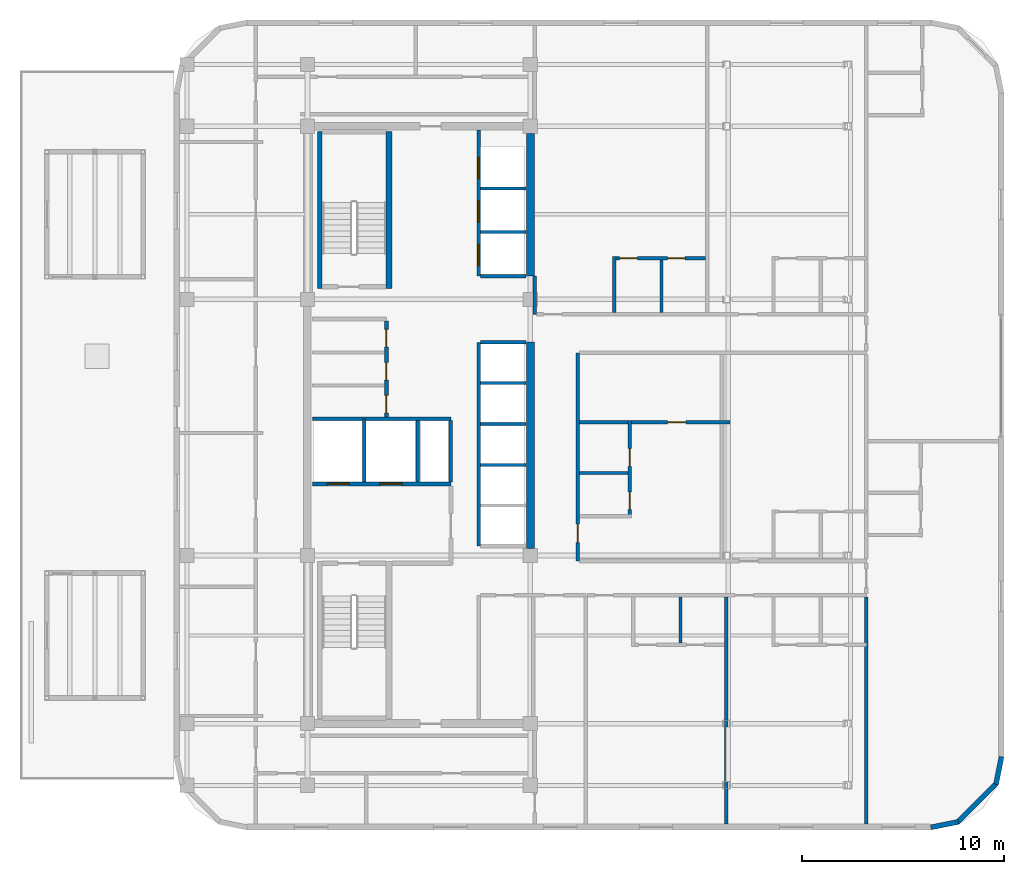
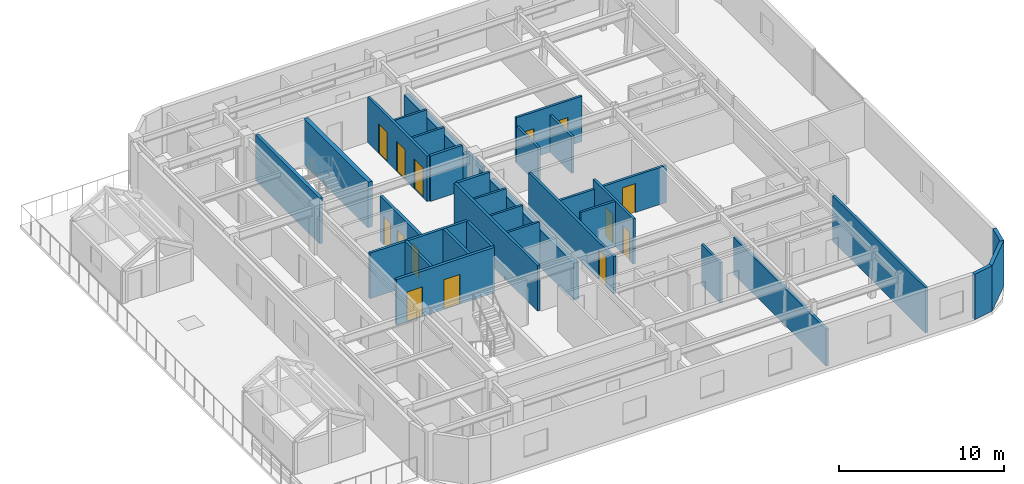
# One storey, part 13 of 16: 33 walls, 14 doors, 14 openings.
"""IFC4 building model written with IfcOpenShell, lengths in metres."""

from ifc_helpers import new_model, si_unit, direction, frame, frame_2d, origin, place, context, subcontext, project, spatial, rectangle, extrude, material, layer, layer_set, type_object, element, fill, save


model = new_model("IFC4")

# Units and contexts
model_context = context("Model", 3, precision=1e-05, world=origin(), true_north=direction((0.0, 1.0)))
body_context = subcontext(model_context, "Body", "Model", "MODEL_VIEW")
ifc_project = project(units=[si_unit("LENGTHUNIT", "METRE"), si_unit("AREAUNIT", "SQUARE_METRE"), si_unit("VOLUMEUNIT", "CUBIC_METRE"), si_unit("PLANEANGLEUNIT", "RADIAN"), si_unit("MASSUNIT", "GRAM", prefix="KILO")], contexts=[model_context])

# Site, building, storey
site_placement = place(None, origin())
site = spatial("IfcSite", under=ifc_project, at=site_placement, CompositionType="ELEMENT")
building_placement = place(site_placement, origin())
building = spatial("IfcBuilding", under=site, at=building_placement, Name="Ochreholt Gables", CompositionType="ELEMENT")
storey_placement = place(building_placement, frame((0.0, 0.0, 141.0)))
storey = spatial("IfcBuildingStorey", under=building, at=storey_placement, Name="L36", CompositionType="ELEMENT", Elevation=141.0)

# Walls
ifc_material_1 = material(Name="Concrete 50 MPa", Category="concrete")
ifc_layer_1 = layer(ifc_material_1, 0.3798828125, Name="Concrete 50 MPa")
ifc_layer_set_1 = layer_set([ifc_layer_1], Name="Concrete 50 MPa")
wall_type_1 = type_object("IfcWallType", Name="WALL-CSW-380", PredefinedType="SHEAR", material=ifc_layer_set_1)
wall_1_placement = place(storey_placement, frame((35.2099609375, 17.89990234375, 0.0), z_axis=(0.0, 0.0, 1.0), x_axis=(0.0, 1.0, 0.0)))
element("IfcWall", 1, at=wall_1_placement, inside=storey, type_object=wall_type_1, Name="L36 Core Central-East Shear Wall", PredefinedType="SHEAR", context=body_context, shape_type="SweptSolid", body=[
    extrude(rectangle(XDim=10.2001953125, YDim=0.3798828125, at=frame_2d((5.10009765625, 0.0))), origin(), (0.0, 0.0, 1.0), 2.748046875),
])
wall_2_placement = place(storey_placement, frame((35.2099609375, 31.35009765625, 0.0), z_axis=(0.0, 0.0, 1.0), x_axis=(0.0, 1.0, 0.0)))
element("IfcWall", 2, at=wall_2_placement, inside=storey, type_object=wall_type_1, Name="L36 Core North-East Shear Wall", PredefinedType="SHEAR", context=body_context, shape_type="SweptSolid", body=[
    extrude(rectangle(XDim=7.0498046875, YDim=0.3798828125, at=frame_2d((3.52490234375, 0.0))), origin(), (0.0, 0.0, 1.0), 2.748046875),
])
ifc_material_2 = material(Name="Precast concrete 40 MPa", Category="concrete")
ifc_layer_2 = layer(ifc_material_2, 0.25, Name="Precast concrete 40 MPa")
ifc_layer_set_2 = layer_set([ifc_layer_2], Name="Precast concrete 40 MPa")
wall_type_2 = type_object("IfcWallType", Name="WALL-EXT-CNR", PredefinedType="SOLIDWALL", material=ifc_layer_set_2)
wall_3_placement = place(storey_placement, frame((54.9833984375, 4.124267578125, 0.0), z_axis=(0.0, 0.0, 1.0), x_axis=(0.980809899341, 0.19496651342, 0.0)))
element("IfcWall", 3, at=wall_3_placement, inside=storey, type_object=wall_type_2, Name="L36 Rounded Corner Wall SE-1", PredefinedType="SOLIDWALL", context=body_context, shape_type="SweptSolid", body=[
    extrude(rectangle(XDim=1.388671875, YDim=0.25, at=frame_2d((0.6943359375, 0.0))), origin(), (0.0, 0.0, 1.0), 3.360107421875),
])
wall_4_placement = place(storey_placement, frame((56.294921875, 4.367919921875, 0.0), z_axis=(0.0, 0.0, 1.0), x_axis=(0.707106781187, 0.707106781187, 0.0)))
element("IfcWall", 4, at=wall_4_placement, inside=storey, type_object=wall_type_2, Name="L36 Rounded Corner Wall SE-2", PredefinedType="SOLIDWALL", context=body_context, shape_type="SweptSolid", body=[
    extrude(rectangle(XDim=2.7392578125, YDim=0.25, at=frame_2d((1.36962890625, 0.0))), origin(), (0.0, 0.0, 1.0), 3.360107421875),
])
wall_5_placement = place(storey_placement, frame((58.205078125, 6.25439453125, 0.0), z_axis=(0.0, 0.0, 1.0), x_axis=(0.19496651342, 0.980809899341, 0.0)))
element("IfcWall", 5, at=wall_5_placement, inside=storey, type_object=wall_type_2, Name="L36 Rounded Corner Wall SE-3", PredefinedType="SOLIDWALL", context=body_context, shape_type="SweptSolid", body=[
    extrude(rectangle(XDim=1.388671875, YDim=0.25, at=frame_2d((0.6943359375, 0.0))), origin(), (0.0, 0.0, 1.0), 3.360107421875),
])

# Wall, openings, doors
ifc_material_3 = material(Name="Concrete 40 MPa", Category="concrete")
ifc_layer_3 = layer(ifc_material_3, 0.199951171875, Name="Concrete 40 MPa")
ifc_layer_set_3 = layer_set([ifc_layer_3], Name="Concrete 40 MPa")
wall_type_3 = type_object("IfcWallType", Name="WALL-INT-CF200", PredefinedType="STANDARD", material=ifc_layer_set_3)
wall_6_placement = place(storey_placement, frame((24.449951171875, 21.090087890625, 0.0), z_axis=(0.0, 0.0, 1.0), x_axis=(1.0, 0.0, 0.0)))
wall_6 = element("IfcWall", 6, at=wall_6_placement, inside=storey, type_object=wall_type_3, Name="L36 Interior Wall WI-FFN-L36", PredefinedType="STANDARD", context=body_context, shape_type="SweptSolid", body=[
    extrude(rectangle(XDim=6.830078125, YDim=0.199951171875, at=frame_2d((3.4150390625, 0.0))), origin(), (0.0, 0.0, 1.0), 3.360107421875),
])
opening_1_placement = place(wall_6_placement, frame((0.719970703125, 0.0, 0.0)))
opening_1 = element("IfcOpeningElement", 7, at=opening_1_placement, cuts=wall_6, Name="Opening LD-FF", PredefinedType="OPENING", context=body_context, shape_type="SweptSolid", body=[
    extrude(rectangle(XDim=1.10009765625, YDim=2.199951171875, at=frame_2d((0.550048828125, 1.10009765625))), frame((0.0, 0.10986328125, 0.0), z_axis=(0.0, -1.0, 0.0), x_axis=(1.0, 0.0, 0.0)), (0.0, 0.0, 1.0), 0.219970703125),
])
opening_2_placement = place(wall_6_placement, frame((3.320068359375, 0.0, 0.0)))
opening_2 = element("IfcOpeningElement", 8, at=opening_2_placement, cuts=wall_6, Name="Opening LD-FF", PredefinedType="OPENING", context=body_context, shape_type="SweptSolid", body=[
    extrude(rectangle(XDim=1.10009765625, YDim=2.199951171875, at=frame_2d((0.550048828125, 1.10009765625))), frame((0.0, 0.10986328125, 0.0), z_axis=(0.0, -1.0, 0.0), x_axis=(1.0, 0.0, 0.0)), (0.0, 0.0, 1.0), 0.219970703125),
])
ifc_material_4 = material(Name="Stainless Steel", Category="steel")
door_type_1 = type_object("IfcDoorType", Name="DR-LFT-FF1100", OperationType="NOTDEFINED", PredefinedType="DOOR", material=ifc_material_4)
door_1_placement = place(opening_1_placement, origin())
door_1 = element("IfcDoor", 9, at=door_1_placement, inside=storey, type_object=door_type_1, Name="L36 Door LD-FF1-L36", OperationType="SLIDING_TO_LEFT", OverallHeight=2.199951171875, OverallWidth=1.10009765625, PredefinedType="DOOR", context=body_context, shape_type="SweptSolid", body=[
    extrude(rectangle(XDim=1.10009765625, YDim=2.199951171875, at=frame_2d((0.550048828125, 1.10009765625))), frame((0.0, 0.02490234375, 0.0), z_axis=(0.0, -1.0, 0.0), x_axis=(1.0, 0.0, 0.0)), (0.0, 0.0, 1.0), 0.050048828125),
])
fill(opening_1, door_1)
door_2_placement = place(opening_2_placement, origin())
door_2 = element("IfcDoor", 10, at=door_2_placement, inside=storey, type_object=door_type_1, Name="L36 Door LD-FF2-L36", OperationType="SLIDING_TO_LEFT", OverallHeight=2.199951171875, OverallWidth=1.10009765625, PredefinedType="DOOR", context=body_context, shape_type="SweptSolid", body=[
    extrude(rectangle(XDim=1.10009765625, YDim=2.199951171875, at=frame_2d((0.550048828125, 1.10009765625))), frame((0.0, 0.02490234375, 0.0), z_axis=(0.0, -1.0, 0.0), x_axis=(1.0, 0.0, 0.0)), (0.0, 0.0, 1.0), 0.050048828125),
])
fill(opening_2, door_2)

wall_7_placement = place(storey_placement, frame((28.10009765625, 24.389892578125, 0.0), z_axis=(0.0, 0.0, 1.0), x_axis=(0.0, 1.0, 0.0)))
wall_7 = element("IfcWall", 11, at=wall_7_placement, inside=storey, type_object=wall_type_3, Name="L36 Interior Wall WI-SRVE-L36", PredefinedType="STANDARD", context=body_context, shape_type="SweptSolid", body=[
    extrude(rectangle(XDim=4.75, YDim=0.199951171875, at=frame_2d((2.375, 0.0))), origin(), (0.0, 0.0, 1.0), 3.360107421875),
])
opening_3_placement = place(wall_7_placement, frame((0.2099609375, 0.0, 0.0)))
opening_3 = element("IfcOpeningElement", 12, at=opening_3_placement, cuts=wall_7, Name="Opening D-SV2", PredefinedType="OPENING", context=body_context, shape_type="SweptSolid", body=[
    extrude(rectangle(XDim=0.860107421875, YDim=2.10009765625, at=frame_2d((0.43017578125, 1.050048828125))), frame((0.0, 0.10986328125, 0.0), z_axis=(0.0, -1.0, 0.0), x_axis=(1.0, 0.0, 0.0)), (0.0, 0.0, 1.0), 0.219970703125),
])
opening_4_placement = place(wall_7_placement, frame((1.830078125, 0.0, 0.0)))
opening_4 = element("IfcOpeningElement", 13, at=opening_4_placement, cuts=wall_7, Name="Opening D-SV2", PredefinedType="OPENING", context=body_context, shape_type="SweptSolid", body=[
    extrude(rectangle(XDim=0.860107421875, YDim=2.10009765625, at=frame_2d((0.43017578125, 1.050048828125))), frame((0.0, 0.10986328125, 0.0), z_axis=(0.0, -1.0, 0.0), x_axis=(1.0, 0.0, 0.0)), (0.0, 0.0, 1.0), 0.219970703125),
])
opening_5_placement = place(wall_7_placement, frame((3.469970703125, 0.0, 0.0)))
opening_5 = element("IfcOpeningElement", 14, at=opening_5_placement, cuts=wall_7, Name="Opening D-SV2", PredefinedType="OPENING", context=body_context, shape_type="SweptSolid", body=[
    extrude(rectangle(XDim=0.860107421875, YDim=2.10009765625, at=frame_2d((0.43017578125, 1.050048828125))), frame((0.0, 0.10986328125, 0.0), z_axis=(0.0, -1.0, 0.0), x_axis=(1.0, 0.0, 0.0)), (0.0, 0.0, 1.0), 0.219970703125),
])
ifc_material_5 = material(Name="Hollow Metal Steel", Category="steel")
door_type_2 = type_object("IfcDoorType", Name="DR-INT-SRV860", OperationType="NOTDEFINED", PredefinedType="DOOR", material=ifc_material_5)
door_3_placement = place(opening_3_placement, origin())
door_3 = element("IfcDoor", 15, at=door_3_placement, inside=storey, type_object=door_type_2, Name="L36 Door D-SRV1-L36", OperationType="SINGLE_SWING_LEFT", OverallHeight=2.10009765625, OverallWidth=0.860107421875, PredefinedType="DOOR", context=body_context, shape_type="SweptSolid", body=[
    extrude(rectangle(XDim=0.860107421875, YDim=2.10009765625, at=frame_2d((0.43017578125, 1.050048828125))), frame((0.0, 0.02490234375, 0.0), z_axis=(0.0, -1.0, 0.0), x_axis=(1.0, 0.0, 0.0)), (0.0, 0.0, 1.0), 0.050048828125),
])
fill(opening_3, door_3)
door_4_placement = place(opening_4_placement, origin())
door_4 = element("IfcDoor", 16, at=door_4_placement, inside=storey, type_object=door_type_2, Name="L36 Door D-SRV2-L36", OperationType="SINGLE_SWING_RIGHT", OverallHeight=2.10009765625, OverallWidth=0.860107421875, PredefinedType="DOOR", context=body_context, shape_type="SweptSolid", body=[
    extrude(rectangle(XDim=0.860107421875, YDim=2.10009765625, at=frame_2d((0.43017578125, 1.050048828125))), frame((0.0, 0.02490234375, 0.0), z_axis=(0.0, -1.0, 0.0), x_axis=(1.0, 0.0, 0.0)), (0.0, 0.0, 1.0), 0.050048828125),
])
fill(opening_4, door_4)
door_5_placement = place(opening_5_placement, origin())
door_5 = element("IfcDoor", 17, at=door_5_placement, inside=storey, type_object=door_type_2, Name="L36 Door D-SRV3-L36", OperationType="SINGLE_SWING_LEFT", OverallHeight=2.10009765625, OverallWidth=0.860107421875, PredefinedType="DOOR", context=body_context, shape_type="SweptSolid", body=[
    extrude(rectangle(XDim=0.860107421875, YDim=2.10009765625, at=frame_2d((0.43017578125, 1.050048828125))), frame((0.0, 0.02490234375, 0.0), z_axis=(0.0, -1.0, 0.0), x_axis=(1.0, 0.0, 0.0)), (0.0, 0.0, 1.0), 0.050048828125),
])
fill(opening_5, door_5)

# Wall, opening, door
ifc_material_6 = material(Name="Fire-Rated Gypsum Acoustic Partition", Category="gypsum")
ifc_layer_4 = layer(ifc_material_6, 0.179931640625, Name="Fire-Rated Gypsum Acoustic Partition")
ifc_layer_set_4 = layer_set([ifc_layer_4], Name="Fire-Rated Gypsum Acoustic Partition")
wall_type_4 = type_object("IfcWallType", Name="WALL-INT-CR180", PredefinedType="STANDARD", material=ifc_layer_set_4)
wall_8_placement = place(storey_placement, frame((37.550048828125, 17.280029296875, 0.0), z_axis=(0.0, 0.0, 1.0), x_axis=(0.0, 1.0, 0.0)))
wall_8 = element("IfcWall", 18, at=wall_8_placement, inside=storey, type_object=wall_type_4, Name="L36 Interior Wall WI-C2EM-L36", PredefinedType="STANDARD", context=body_context, shape_type="SweptSolid", body=[
    extrude(rectangle(XDim=10.280029296875, YDim=0.179931640625, at=frame_2d((5.14013671875, 0.0))), origin(), (0.0, 0.0, 1.0), 2.72998046875),
])
opening_6_placement = place(wall_8_placement, frame((0.906982421875, 0.0, 0.0)))
opening_6 = element("IfcOpeningElement", 19, at=opening_6_placement, cuts=wall_8, Name="Opening D-UN1", PredefinedType="OPENING", context=body_context, shape_type="SweptSolid", body=[
    extrude(rectangle(XDim=0.919921875, YDim=2.14990234375, at=frame_2d((0.4599609375, 1.074951171875))), frame((0.0, 0.099853515625, 0.0), z_axis=(0.0, -1.0, 0.0), x_axis=(1.0, 0.0, 0.0)), (0.0, 0.0, 1.0), 0.199951171875),
])
ifc_material_7 = material(Name="Engineered Oak Timber", Category="wood")
door_type_3 = type_object("IfcDoorType", Name="DR-INT-UNT920", OperationType="NOTDEFINED", PredefinedType="DOOR", material=ifc_material_7)
door_6_placement = place(opening_6_placement, origin())
door_6 = element("IfcDoor", 20, at=door_6_placement, inside=storey, type_object=door_type_3, Name="L36 Door D-U-L36M1-ENT", OperationType="SINGLE_SWING_RIGHT", OverallHeight=2.14990234375, OverallWidth=0.919921875, PredefinedType="DOOR", context=body_context, shape_type="SweptSolid", body=[
    extrude(rectangle(XDim=0.919921875, YDim=2.14990234375, at=frame_2d((0.4599609375, 1.074951171875))), frame((0.0, 0.02490234375, 0.0), z_axis=(0.0, -1.0, 0.0), x_axis=(1.0, 0.0, 0.0)), (0.0, 0.0, 1.0), 0.050048828125),
])
fill(opening_6, door_6)

# Walls
wall_9_placement = place(storey_placement, frame((35.419921875, 29.4599609375, 0.0), z_axis=(0.0, 0.0, 1.0), x_axis=(0.0, 1.0, 0.0)))
element("IfcWall", 21, at=wall_9_placement, inside=storey, type_object=wall_type_4, Name="L36 Interior Wall WI-C2NCL-L36", PredefinedType="STANDARD", context=body_context, shape_type="SweptSolid", body=[
    extrude(rectangle(XDim=1.89013671875, YDim=0.179931640625, at=frame_2d((0.945068359375, 0.0))), origin(), (0.0, 0.0, 1.0), 2.72998046875),
])
ifc_material_8 = material(Name="Double-Stud Acoustic Demising Wall", Category="gypsum")
ifc_layer_5 = layer(ifc_material_8, 0.179931640625, Name="Double-Stud Acoustic Demising Wall")
ifc_layer_set_5 = layer_set([ifc_layer_5], Name="Double-Stud Acoustic Demising Wall")
wall_type_5 = type_object("IfcWallType", Name="WALL-INT-DM180", PredefinedType="PARTITIONING", material=ifc_layer_set_5)
wall_10_placement = place(storey_placement, frame((44.875, 4.280029296875, 0.0), z_axis=(0.0, 0.0, 1.0), x_axis=(0.0, 1.0, 0.0)))
element("IfcWall", 22, at=wall_10_placement, inside=storey, type_object=wall_type_5, Name="L36 Interior Wall WI-C2UDS-L36", PredefinedType="PARTITIONING", context=body_context, shape_type="SweptSolid", body=[
    extrude(rectangle(XDim=11.2099609375, YDim=0.179931640625, at=frame_2d((5.60498046875, 0.0))), origin(), (0.0, 0.0, 1.0), 2.72998046875),
])
wall_11_placement = place(storey_placement, frame((51.800048828125, 4.280029296875, 0.0), z_axis=(0.0, 0.0, 1.0), x_axis=(0.0, 1.0, 0.0)))
element("IfcWall", 23, at=wall_11_placement, inside=storey, type_object=wall_type_5, Name="L36 Interior Wall WI-C2FEW1-L36", PredefinedType="PARTITIONING", context=body_context, shape_type="SweptSolid", body=[
    extrude(rectangle(XDim=11.2099609375, YDim=0.179931640625, at=frame_2d((5.60498046875, 0.0))), origin(), (0.0, 0.0, 1.0), 3.360107421875),
])
ifc_material_9 = material(Name="Moisture-Resistant Plumbing Chase Wall", Category="gypsum")
ifc_layer_6 = layer(ifc_material_9, 0.159912109375, Name="Moisture-Resistant Plumbing Chase Wall")
ifc_layer_set_6 = layer_set([ifc_layer_6], Name="Moisture-Resistant Plumbing Chase Wall")
wall_type_6 = type_object("IfcWallType", Name="WALL-INT-PL160", PredefinedType="PLUMBINGWALL", material=ifc_layer_set_6)
wall_12_placement = place(storey_placement, frame((42.625, 13.219970703125, 0.0), z_axis=(0.0, 0.0, 1.0), x_axis=(0.0, 1.0, 0.0)))
element("IfcWall", 24, at=wall_12_placement, inside=storey, type_object=wall_type_6, Name="L36 Interior Wall WU-L36S1-WK", PredefinedType="PLUMBINGWALL", context=body_context, shape_type="SweptSolid", body=[
    extrude(rectangle(XDim=2.27001953125, YDim=0.159912109375, at=frame_2d((1.135009765625, 0.0))), origin(), (0.0, 0.0, 1.0), 2.98388671875),
])

# Wall, openings, doors
wall_13_placement = place(storey_placement, frame((39.267578125, 32.22998046875, 0.0), z_axis=(0.0, 0.0, 1.0), x_axis=(1.0, 0.0, 0.0)))
wall_13 = element("IfcWall", 25, at=wall_13_placement, inside=storey, type_object=wall_type_6, Name="L36 Interior Wall WU-L36N1-WY", PredefinedType="PLUMBINGWALL", context=body_context, shape_type="SweptSolid", body=[
    extrude(rectangle(XDim=4.580078125, YDim=0.159912109375, at=frame_2d((2.2900390625, 0.0))), origin(), (0.0, 0.0, 1.0), 3.360107421875),
])
opening_7_placement = place(wall_13_placement, frame((0.35009765625, 0.0, 0.0)))
opening_7 = element("IfcOpeningElement", 26, at=opening_7_placement, cuts=wall_13, Name="Opening D-GN2", PredefinedType="OPENING", context=body_context, shape_type="SweptSolid", body=[
    extrude(rectangle(XDim=0.8798828125, YDim=2.1201171875, at=frame_2d((0.43994140625, 1.06005859375))), frame((0.0, 0.08984375, 0.0), z_axis=(0.0, -1.0, 0.0), x_axis=(1.0, 0.0, 0.0)), (0.0, 0.0, 1.0), 0.179931640625),
])
opening_8_placement = place(wall_13_placement, frame((2.719970703125, 0.0, 0.0)))
opening_8 = element("IfcOpeningElement", 27, at=opening_8_placement, cuts=wall_13, Name="Opening D-BT1", PredefinedType="OPENING", context=body_context, shape_type="SweptSolid", body=[
    extrude(rectangle(XDim=0.860107421875, YDim=2.1201171875, at=frame_2d((0.43017578125, 1.06005859375))), frame((0.0, 0.08984375, 0.0), z_axis=(0.0, -1.0, 0.0), x_axis=(1.0, 0.0, 0.0)), (0.0, 0.0, 1.0), 0.179931640625),
])
door_type_4 = type_object("IfcDoorType", Name="DR-INT-BTH860", OperationType="NOTDEFINED", PredefinedType="DOOR", material=ifc_material_7)
door_7_placement = place(opening_8_placement, origin())
door_7 = element("IfcDoor", 28, at=door_7_placement, inside=storey, type_object=door_type_4, Name="L36 Door D-U-L36N1-BTH", OperationType="SINGLE_SWING_RIGHT", OverallHeight=2.1201171875, OverallWidth=0.860107421875, PredefinedType="DOOR", context=body_context, shape_type="SweptSolid", body=[
    extrude(rectangle(XDim=0.860107421875, YDim=2.1201171875, at=frame_2d((0.43017578125, 1.06005859375))), frame((0.0, 0.02490234375, 0.0), z_axis=(0.0, -1.0, 0.0), x_axis=(1.0, 0.0, 0.0)), (0.0, 0.0, 1.0), 0.050048828125),
])
fill(opening_8, door_7)
door_type_5 = type_object("IfcDoorType", Name="DR-INT-GEN880", OperationType="NOTDEFINED", PredefinedType="DOOR", material=ifc_material_7)
door_8_placement = place(opening_7_placement, origin())
door_8 = element("IfcDoor", 29, at=door_8_placement, inside=storey, type_object=door_type_5, Name="L36 Door D-U-L36N1-KIT", OperationType="SINGLE_SWING_LEFT", OverallHeight=2.1201171875, OverallWidth=0.8798828125, PredefinedType="DOOR", context=body_context, shape_type="SweptSolid", body=[
    extrude(rectangle(XDim=0.8798828125, YDim=2.1201171875, at=frame_2d((0.43994140625, 1.06005859375))), frame((0.0, 0.02490234375, 0.0), z_axis=(0.0, -1.0, 0.0), x_axis=(1.0, 0.0, 0.0)), (0.0, 0.0, 1.0), 0.050048828125),
])
fill(opening_7, door_8)

# Walls
wall_14_placement = place(storey_placement, frame((39.34765625, 29.550048828125, 0.0), z_axis=(0.0, 0.0, 1.0), x_axis=(0.0, 1.0, 0.0)))
element("IfcWall", 30, at=wall_14_placement, inside=storey, type_object=wall_type_6, Name="L36 Interior Wall WU-L36N1-FY", PredefinedType="PLUMBINGWALL", context=body_context, shape_type="SweptSolid", body=[
    extrude(rectangle(XDim=2.760009765625, YDim=0.159912109375, at=frame_2d((1.3798828125, 0.0))), origin(), (0.0, 0.0, 1.0), 2.72998046875),
])
wall_15_placement = place(storey_placement, frame((41.6875, 29.550048828125, 0.0), z_axis=(0.0, 0.0, 1.0), x_axis=(0.0, 1.0, 0.0)))
element("IfcWall", 31, at=wall_15_placement, inside=storey, type_object=wall_type_6, Name="L36 Interior Wall WU-L36N1-WK", PredefinedType="PLUMBINGWALL", context=body_context, shape_type="SweptSolid", body=[
    extrude(rectangle(XDim=2.599853515625, YDim=0.159912109375, at=frame_2d((1.2998046875, 0.0))), origin(), (0.0, 0.0, 1.0), 2.72998046875),
])

# Wall, openings, doors
wall_16_placement = place(storey_placement, frame((40.1201171875, 19.39697265625, 0.0), z_axis=(0.0, 0.0, 1.0), x_axis=(0.0, 1.0, 0.0)))
wall_16 = element("IfcWall", 32, at=wall_16_placement, inside=storey, type_object=wall_type_6, Name="L36 Interior Wall WU-L36M1-WX", PredefinedType="PLUMBINGWALL", context=body_context, shape_type="SweptSolid", body=[
    extrude(rectangle(XDim=4.830078125, YDim=0.159912109375, at=frame_2d((2.4150390625, 0.0))), origin(), (0.0, 0.0, 1.0), 3.360107421875),
])
opening_9_placement = place(wall_16_placement, frame((0.419921875, 0.0, 0.0)))
opening_9 = element("IfcOpeningElement", 33, at=opening_9_placement, cuts=wall_16, Name="Opening D-BT1", PredefinedType="OPENING", context=body_context, shape_type="SweptSolid", body=[
    extrude(rectangle(XDim=0.860107421875, YDim=2.1201171875, at=frame_2d((0.43017578125, 1.06005859375))), frame((0.0, 0.08984375, 0.0), z_axis=(0.0, -1.0, 0.0), x_axis=(1.0, 0.0, 0.0)), (0.0, 0.0, 1.0), 0.179931640625),
])
opening_10_placement = place(wall_16_placement, frame((2.55908203125, 0.0, 0.0)))
opening_10 = element("IfcOpeningElement", 34, at=opening_10_placement, cuts=wall_16, Name="Opening D-GN2", PredefinedType="OPENING", context=body_context, shape_type="SweptSolid", body=[
    extrude(rectangle(XDim=0.8798828125, YDim=2.1201171875, at=frame_2d((0.43994140625, 1.06005859375))), frame((0.0, 0.08984375, 0.0), z_axis=(0.0, -1.0, 0.0), x_axis=(1.0, 0.0, 0.0)), (0.0, 0.0, 1.0), 0.179931640625),
])
door_9_placement = place(opening_9_placement, origin())
door_9 = element("IfcDoor", 35, at=door_9_placement, inside=storey, type_object=door_type_4, Name="L36 Door D-U-L36M1-BTH", OperationType="SINGLE_SWING_LEFT", OverallHeight=2.1201171875, OverallWidth=0.860107421875, PredefinedType="DOOR", context=body_context, shape_type="SweptSolid", body=[
    extrude(rectangle(XDim=0.860107421875, YDim=2.1201171875, at=frame_2d((0.43017578125, 1.06005859375))), frame((0.0, 0.02490234375, 0.0), z_axis=(0.0, -1.0, 0.0), x_axis=(1.0, 0.0, 0.0)), (0.0, 0.0, 1.0), 0.050048828125),
])
fill(opening_9, door_9)
door_10_placement = place(opening_10_placement, origin())
door_10 = element("IfcDoor", 36, at=door_10_placement, inside=storey, type_object=door_type_5, Name="L36 Door D-U-L36M1-KIT", OperationType="SINGLE_SWING_RIGHT", OverallHeight=2.1201171875, OverallWidth=0.8798828125, PredefinedType="DOOR", context=body_context, shape_type="SweptSolid", body=[
    extrude(rectangle(XDim=0.8798828125, YDim=2.1201171875, at=frame_2d((0.43994140625, 1.06005859375))), frame((0.0, 0.02490234375, 0.0), z_axis=(0.0, -1.0, 0.0), x_axis=(1.0, 0.0, 0.0)), (0.0, 0.0, 1.0), 0.050048828125),
])
fill(opening_10, door_10)

# Wall
wall_17_placement = place(storey_placement, frame((37.639892578125, 21.6259765625, 0.0), z_axis=(0.0, 0.0, 1.0), x_axis=(1.0, 0.0, 0.0)))
element("IfcWall", 37, at=wall_17_placement, inside=storey, type_object=wall_type_6, Name="L36 Interior Wall WU-L36M1-WK", PredefinedType="PLUMBINGWALL", context=body_context, shape_type="SweptSolid", body=[
    extrude(rectangle(XDim=2.400146484375, YDim=0.159912109375, at=frame_2d((1.2001953125, 0.0))), origin(), (0.0, 0.0, 1.0), 3.360107421875),
])

# Wall, opening, door
ifc_material_10 = material(Name="Gypsum Acoustic Stud Partition", Category="gypsum")
ifc_layer_7 = layer(ifc_material_10, 0.1650390625, Name="Gypsum Acoustic Stud Partition")
ifc_layer_set_7 = layer_set([ifc_layer_7], Name="Gypsum Acoustic Stud Partition")
wall_type_7 = type_object("IfcWallType", Name="WALL-INT-PT165", PredefinedType="PARTITIONING", material=ifc_layer_set_7)
wall_18_placement = place(storey_placement, frame((37.639892578125, 24.136962890625, 0.0), z_axis=(0.0, 0.0, 1.0), x_axis=(1.0, 0.0, 0.0)))
wall_18 = element("IfcWall", 38, at=wall_18_placement, inside=storey, type_object=wall_type_7, Name="L36 Interior Wall WU-L36M1-MN", PredefinedType="PARTITIONING", context=body_context, shape_type="SweptSolid", body=[
    extrude(rectangle(XDim=7.425048828125, YDim=0.1650390625, at=frame_2d((3.71240234375, 0.0))), origin(), (0.0, 0.0, 1.0), 2.72998046875),
])
opening_11_placement = place(wall_18_placement, frame((4.3525390625, 0.0, 0.0)))
opening_11 = element("IfcOpeningElement", 39, at=opening_11_placement, cuts=wall_18, Name="Opening D-BD1", PredefinedType="OPENING", context=body_context, shape_type="SweptSolid", body=[
    extrude(rectangle(XDim=0.89990234375, YDim=2.139892578125, at=frame_2d((0.449951171875, 1.06982421875))), frame((0.0, 0.092529296875, 0.0), z_axis=(0.0, -1.0, 0.0), x_axis=(1.0, 0.0, 0.0)), (0.0, 0.0, 1.0), 0.18505859375),
])
door_type_6 = type_object("IfcDoorType", Name="DR-INT-BED900", OperationType="NOTDEFINED", PredefinedType="DOOR", material=ifc_material_7)
door_11_placement = place(opening_11_placement, origin())
door_11 = element("IfcDoor", 40, at=door_11_placement, inside=storey, type_object=door_type_6, Name="L36 Door D-U-L36M1-BD1", OperationType="SINGLE_SWING_LEFT", OverallHeight=2.139892578125, OverallWidth=0.89990234375, PredefinedType="DOOR", context=body_context, shape_type="SweptSolid", body=[
    extrude(rectangle(XDim=0.89990234375, YDim=2.139892578125, at=frame_2d((0.449951171875, 1.06982421875))), frame((0.0, 0.02490234375, 0.0), z_axis=(0.0, -1.0, 0.0), x_axis=(1.0, 0.0, 0.0)), (0.0, 0.0, 1.0), 0.050048828125),
])
fill(opening_11, door_11)

# Walls
ifc_material_11 = material(Name="Gypsum Shaftliner and Steel Stud", Category="steel")
ifc_layer_8 = layer(ifc_material_11, 0.14990234375, Name="Gypsum Shaftliner and Steel Stud")
ifc_layer_set_8 = layer_set([ifc_layer_8], Name="Gypsum Shaftliner and Steel Stud")
wall_type_8 = type_object("IfcWallType", Name="WALL-INT-SH150", PredefinedType="STANDARD", material=ifc_layer_set_8)
for number, where, z_axis, x_axis, name in (
    (41, (32.739990234375, 22.02001953125, 0.0), (0.0, 0.0, 1.0), (1.0, 0.0, 0.0), "L36 Interior Wall WI-LFHE-DH2-L36"),
    (42, (32.739990234375, 24.050048828125, 0.0), (0.0, 0.0, 1.0), (1.0, 0.0, 0.0), "L36 Interior Wall WI-LFHE-DHE-L36"),
    (43, (32.739990234375, 26.070068359375, 0.0), (0.0, 0.0, 1.0), (1.0, 0.0, 0.0), "L36 Interior Wall WI-LFHE-DEX1-L36"),
    (44, (32.739990234375, 33.52001953125, 0.0), (0.0, 0.0, 1.0), (1.0, 0.0, 0.0), "L36 Interior Wall WI-LFM-D1-L36"),
    (45, (32.739990234375, 35.669921875, 0.0), (0.0, 0.0, 1.0), (1.0, 0.0, 0.0), "L36 Interior Wall WI-LFM-D2-L36"),
):
    element("IfcWall", number, at=place(storey_placement, frame(where, z_axis=z_axis, x_axis=x_axis)), inside=storey, type_object=wall_type_8, Name=name, PredefinedType="STANDARD", context=body_context, shape_type="SweptSolid", body=[
        extrude(rectangle(XDim=2.260009765625, YDim=0.14990234375, at=frame_2d((1.1298828125, 0.0))), origin(), (0.0, 0.0, 1.0), 3.360107421875),
    ])
ifc_layer_9 = layer(ifc_material_11, 0.179931640625, Name="Gypsum Shaftliner and Steel Stud")
ifc_layer_set_9 = layer_set([ifc_layer_9], Name="Gypsum Shaftliner and Steel Stud")
wall_type_9 = type_object("IfcWallType", Name="WALL-INT-SH180", PredefinedType="STANDARD", material=ifc_layer_set_9)
wall_19_placement = place(storey_placement, frame((27.0, 21.18994140625, 0.0), z_axis=(0.0, 0.0, 1.0), x_axis=(0.0, 1.0, 0.0)))
element("IfcWall", 46, at=wall_19_placement, inside=storey, type_object=wall_type_9, Name="L36 Interior Wall WI-FFDIV-L36", PredefinedType="STANDARD", context=body_context, shape_type="SweptSolid", body=[
    extrude(rectangle(XDim=3.110107421875, YDim=0.179931640625, at=frame_2d((1.55517578125, 0.0))), origin(), (0.0, 0.0, 1.0), 3.360107421875),
])
wall_20_placement = place(storey_placement, frame((24.449951171875, 24.300048828125, 0.0), z_axis=(0.0, 0.0, 1.0), x_axis=(1.0, 0.0, 0.0)))
element("IfcWall", 47, at=wall_20_placement, inside=storey, type_object=wall_type_9, Name="L36 Interior Wall WI-FFBK-L36", PredefinedType="STANDARD", context=body_context, shape_type="SweptSolid", body=[
    extrude(rectangle(XDim=6.830078125, YDim=0.179931640625, at=frame_2d((3.4150390625, 0.0))), origin(), (0.0, 0.0, 1.0), 3.360107421875),
])
for number, where, z_axis, x_axis, name in (
    (48, (29.64990234375, 21.18994140625, 0.0), (0.0, 0.0, 1.0), (0.0, 1.0, 0.0), "L36 Interior Wall WI-FFSH-L36"),
    (49, (31.280029296875, 21.18994140625, 0.0), (0.0, 0.0, 1.0), (0.0, 1.0, 0.0), "L36 Interior Wall WI-RSE-L36"),
):
    element("IfcWall", number, at=place(storey_placement, frame(where, z_axis=z_axis, x_axis=x_axis)), inside=storey, type_object=wall_type_9, Name=name, PredefinedType="STANDARD", context=body_context, shape_type="SweptSolid", body=[
        extrude(rectangle(XDim=3.02001953125, YDim=0.179931640625, at=frame_2d((1.510009765625, 0.0))), origin(), (0.0, 0.0, 1.0), 3.360107421875),
    ])
wall_21_placement = place(storey_placement, frame((32.64990234375, 18.02001953125, 0.0), z_axis=(0.0, 0.0, 1.0), x_axis=(0.0, 1.0, 0.0)))
element("IfcWall", 50, at=wall_21_placement, inside=storey, type_object=wall_type_9, Name="L36 Interior Wall WI-LFHE-FR-L36", PredefinedType="STANDARD", context=body_context, shape_type="SweptSolid", body=[
    extrude(rectangle(XDim=10.06005859375, YDim=0.179931640625, at=frame_2d((5.030029296875, 0.0))), origin(), (0.0, 0.0, 1.0), 3.360107421875),
])
wall_22_placement = place(storey_placement, frame((32.739990234375, 28.080078125, 0.0), z_axis=(0.0, 0.0, 1.0), x_axis=(1.0, 0.0, 0.0)))
element("IfcWall", 51, at=wall_22_placement, inside=storey, type_object=wall_type_9, Name="L36 Interior Wall WI-LFHE-N-L36", PredefinedType="STANDARD", context=body_context, shape_type="SweptSolid", body=[
    extrude(rectangle(XDim=2.260009765625, YDim=0.179931640625, at=frame_2d((1.1298828125, 0.0))), origin(), (0.0, 0.0, 1.0), 3.360107421875),
])

# Wall, openings, doors
wall_23_placement = place(storey_placement, frame((32.64990234375, 31.35009765625, 0.0), z_axis=(0.0, 0.0, 1.0), x_axis=(0.0, 1.0, 0.0)))
wall_23 = element("IfcWall", 52, at=wall_23_placement, inside=storey, type_object=wall_type_9, Name="L36 Interior Wall WI-LFM-FR-L36", PredefinedType="STANDARD", context=body_context, shape_type="SweptSolid", body=[
    extrude(rectangle(XDim=7.2099609375, YDim=0.179931640625, at=frame_2d((3.60498046875, 0.0))), origin(), (0.0, 0.0, 1.0), 3.360107421875),
])
opening_12_placement = place(wall_23_placement, frame((0.52001953125, 0.0, 0.0)))
opening_12 = element("IfcOpeningElement", 53, at=opening_12_placement, cuts=wall_23, Name="Opening LD-PX", PredefinedType="OPENING", context=body_context, shape_type="SweptSolid", body=[
    extrude(rectangle(XDim=1.050048828125, YDim=2.199951171875, at=frame_2d((0.52490234375, 1.10009765625))), frame((0.0, 0.099853515625, 0.0), z_axis=(0.0, -1.0, 0.0), x_axis=(1.0, 0.0, 0.0)), (0.0, 0.0, 1.0), 0.199951171875),
])
opening_13_placement = place(wall_23_placement, frame((2.669921875, 0.0, 0.0)))
opening_13 = element("IfcOpeningElement", 54, at=opening_13_placement, cuts=wall_23, Name="Opening LD-PX", PredefinedType="OPENING", context=body_context, shape_type="SweptSolid", body=[
    extrude(rectangle(XDim=1.050048828125, YDim=2.199951171875, at=frame_2d((0.52490234375, 1.10009765625))), frame((0.0, 0.099853515625, 0.0), z_axis=(0.0, -1.0, 0.0), x_axis=(1.0, 0.0, 0.0)), (0.0, 0.0, 1.0), 0.199951171875),
])
opening_14_placement = place(wall_23_placement, frame((4.820068359375, 0.0, 0.0)))
opening_14 = element("IfcOpeningElement", 55, at=opening_14_placement, cuts=wall_23, Name="Opening LD-PX", PredefinedType="OPENING", context=body_context, shape_type="SweptSolid", body=[
    extrude(rectangle(XDim=1.050048828125, YDim=2.199951171875, at=frame_2d((0.52490234375, 1.10009765625))), frame((0.0, 0.099853515625, 0.0), z_axis=(0.0, -1.0, 0.0), x_axis=(1.0, 0.0, 0.0)), (0.0, 0.0, 1.0), 0.199951171875),
])
door_type_7 = type_object("IfcDoorType", Name="DR-LFT-PX1050", OperationType="NOTDEFINED", PredefinedType="DOOR", material=ifc_material_4)
door_12_placement = place(opening_12_placement, origin())
door_12 = element("IfcDoor", 56, at=door_12_placement, inside=storey, type_object=door_type_7, Name="L36 Door LD-M1-L36", OperationType="SLIDING_TO_LEFT", OverallHeight=2.199951171875, OverallWidth=1.050048828125, PredefinedType="DOOR", context=body_context, shape_type="SweptSolid", body=[
    extrude(rectangle(XDim=1.050048828125, YDim=2.199951171875, at=frame_2d((0.52490234375, 1.10009765625))), frame((0.0, 0.02490234375, 0.0), z_axis=(0.0, -1.0, 0.0), x_axis=(1.0, 0.0, 0.0)), (0.0, 0.0, 1.0), 0.050048828125),
])
fill(opening_12, door_12)
door_13_placement = place(opening_13_placement, origin())
door_13 = element("IfcDoor", 57, at=door_13_placement, inside=storey, type_object=door_type_7, Name="L36 Door LD-M2-L36", OperationType="SLIDING_TO_LEFT", OverallHeight=2.199951171875, OverallWidth=1.050048828125, PredefinedType="DOOR", context=body_context, shape_type="SweptSolid", body=[
    extrude(rectangle(XDim=1.050048828125, YDim=2.199951171875, at=frame_2d((0.52490234375, 1.10009765625))), frame((0.0, 0.02490234375, 0.0), z_axis=(0.0, -1.0, 0.0), x_axis=(1.0, 0.0, 0.0)), (0.0, 0.0, 1.0), 0.050048828125),
])
fill(opening_13, door_13)
door_14_placement = place(opening_14_placement, origin())
door_14 = element("IfcDoor", 58, at=door_14_placement, inside=storey, type_object=door_type_7, Name="L36 Door LD-M3-L36", OperationType="SLIDING_TO_LEFT", OverallHeight=2.199951171875, OverallWidth=1.050048828125, PredefinedType="DOOR", context=body_context, shape_type="SweptSolid", body=[
    extrude(rectangle(XDim=1.050048828125, YDim=2.199951171875, at=frame_2d((0.52490234375, 1.10009765625))), frame((0.0, 0.02490234375, 0.0), z_axis=(0.0, -1.0, 0.0), x_axis=(1.0, 0.0, 0.0)), (0.0, 0.0, 1.0), 0.050048828125),
])
fill(opening_14, door_14)

# Walls
wall_24_placement = place(storey_placement, frame((32.739990234375, 31.35009765625, 0.0), z_axis=(0.0, 0.0, 1.0), x_axis=(1.0, 0.0, 0.0)))
element("IfcWall", 59, at=wall_24_placement, inside=storey, type_object=wall_type_9, Name="L36 Interior Wall WI-LFM-S-L36", PredefinedType="STANDARD", context=body_context, shape_type="SweptSolid", body=[
    extrude(rectangle(XDim=2.260009765625, YDim=0.179931640625, at=frame_2d((1.1298828125, 0.0))), origin(), (0.0, 0.0, 1.0), 3.360107421875),
])
ifc_material_12 = material(Name="Concrete 60 MPa", Category="concrete")
ifc_layer_10 = layer(ifc_material_12, 0.300048828125, Name="Concrete 60 MPa")
ifc_layer_set_10 = layer_set([ifc_layer_10], Name="Concrete 60 MPa")
wall_type_10 = type_object("IfcWallType", Name="WALL-SPN-300", PredefinedType="SHEAR", material=ifc_layer_set_10)
wall_25_placement = place(storey_placement, frame((28.22998046875, 30.739990234375, 0.0), z_axis=(0.0, 0.0, 1.0), x_axis=(0.0, 1.0, 0.0)))
element("IfcWall", 60, at=wall_25_placement, inside=storey, type_object=wall_type_10, Name="L36 Core North Spine Shear Wall", PredefinedType="SHEAR", context=body_context, shape_type="SweptSolid", body=[
    extrude(rectangle(XDim=7.760009765625, YDim=0.300048828125, at=frame_2d((3.8798828125, 0.0))), origin(), (0.0, 0.0, 1.0), 3.360107421875),
])
ifc_layer_11 = layer(ifc_material_1, 0.219970703125, Name="Concrete 50 MPa")
ifc_layer_set_11 = layer_set([ifc_layer_11], Name="Concrete 50 MPa")
wall_type_11 = type_object("IfcWallType", Name="WALL-STW-220", PredefinedType="SHEAR", material=ifc_layer_set_11)
wall_26_placement = place(storey_placement, frame((24.81005859375, 30.739990234375, 0.0), z_axis=(0.0, 0.0, 1.0), x_axis=(0.0, 1.0, 0.0)))
element("IfcWall", 61, at=wall_26_placement, inside=storey, type_object=wall_type_11, Name="L36 Exit Stair 2 West Wall", PredefinedType="SHEAR", context=body_context, shape_type="SweptSolid", body=[
    extrude(rectangle(XDim=7.760009765625, YDim=0.219970703125, at=frame_2d((3.8798828125, 0.0))), origin(), (0.0, 0.0, 1.0), 3.360107421875),
])

save(model, "model.ifc")
